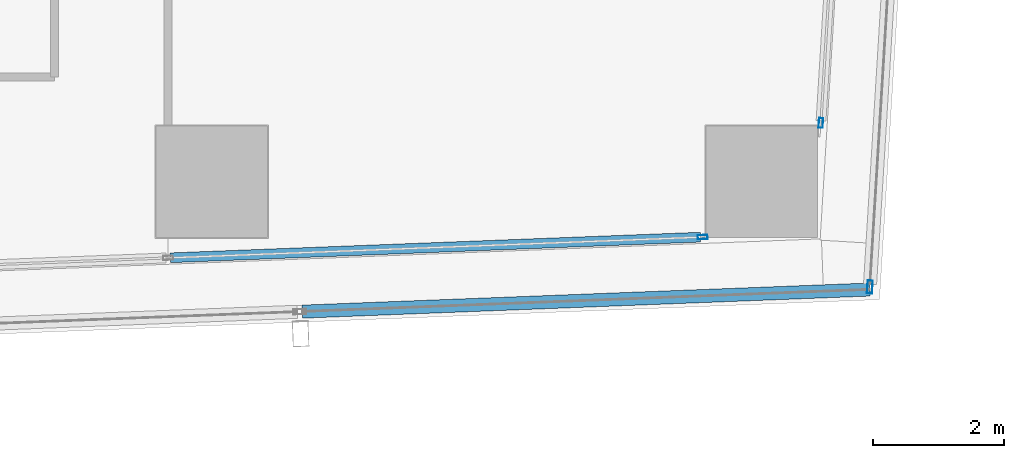
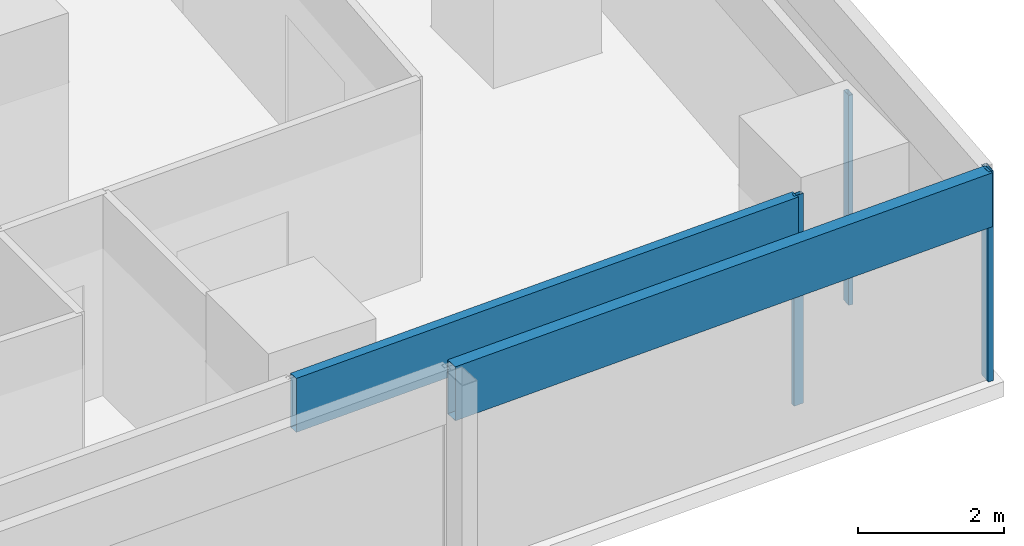
# One storey, part 12 of 40: 5 members, 4 elements without a shape of their own.
"""IFC4 building model written with IfcOpenShell, lengths in metres."""

from ifc_helpers import new_model, si_unit, direction, frame, origin, origin_2d, place, context, subcontext, project, spatial, hollow_rectangle, extrude, material, material_profile, profile_set, type_object, element, aggregate, save


model = new_model("IFC4")

# Units and contexts
model_context = context("Model", 3, precision=1e-05, world=origin(), true_north=direction((0.0, 1.0)))
body_context = subcontext(model_context, "Body", "Model", "MODEL_VIEW")
ifc_project = project(units=[si_unit("LENGTHUNIT", "METRE"), si_unit("AREAUNIT", "SQUARE_METRE"), si_unit("VOLUMEUNIT", "CUBIC_METRE"), si_unit("PLANEANGLEUNIT", "RADIAN"), si_unit("MASSUNIT", "GRAM", prefix="KILO")], contexts=[model_context])

# Site, building, storey
site_placement = place(None, origin())
site = spatial("IfcSite", under=ifc_project, at=site_placement, CompositionType="ELEMENT")
building_placement = place(site_placement, origin())
building = spatial("IfcBuilding", under=site, at=building_placement, Name="Rekha Terrace Tower", CompositionType="ELEMENT")
storey_placement = place(building_placement, frame((0.0, 0.0, 132.800048828125)))
storey = spatial("IfcBuildingStorey", under=building, at=storey_placement, Name="L33", CompositionType="ELEMENT", Elevation=132.800048828125)

# Curtain wall, member
ifc_material_1 = material(Name="Aluminium framing", Category="aluminium")
curtain_wall_type_1 = type_object("IfcCurtainWallType", Name="CW1 double skin inner glazing", PredefinedType="USERDEFINED", material=ifc_material_1)
curtain_wall_1_placement = place(storey_placement, origin())
curtain_wall_1 = element("IfcCurtainWall", 1, at=curtain_wall_1_placement, inside=storey, type_object=curtain_wall_type_1, Name="CW1 double skin inner glazing", ObjectType="DOUBLE SKIN INNER GLAZING", PredefinedType="USERDEFINED")
ifc_material_2 = material(Name="Aluminium mullion section", Category="aluminium")
ifc_material_profile_1 = material_profile(ifc_material_2, hollow_rectangle(XDim=0.06494140625, YDim=0.14990234375, WallThickness=0.00390625, at=origin_2d()), Name="AL RHS 65x150")
ifc_profile_set_1 = profile_set([ifc_material_profile_1], Name="Aluminium mullion section")
member_type_1 = type_object("IfcMemberType", Name="CW1 mullion RHS 65 x 150", PredefinedType="MULLION", material=ifc_profile_set_1)
member_1_placement = place(storey_placement, frame((66.29736328125, 15.95556640625, 0.0), z_axis=(0.0, 0.0, 1.0), x_axis=(-0.038889971345, 0.999243498917, 0.0)))
member_1 = element("IfcMember", 2, at=member_1_placement, type_object=member_type_1, Name="CW1 mullion 6", PredefinedType="MULLION", context=body_context, shape_type="SweptSolid", body=[
    extrude(hollow_rectangle(XDim=0.06494140625, YDim=0.14990234375, WallThickness=0.00390625, at=origin_2d()), origin(), (0.0, 0.0, 1.0), 3.5),
])

curtain_wall_2_placement = place(storey_placement, origin())
curtain_wall_2 = element("IfcCurtainWall", 3, at=curtain_wall_2_placement, inside=storey, type_object=curtain_wall_type_1, Name="CW1 double skin inner glazing", ObjectType="DOUBLE SKIN INNER GLAZING", PredefinedType="USERDEFINED")
member_2_placement = place(storey_placement, frame((68.103515625, 17.69921875, 0.0), z_axis=(0.0, 0.0, 1.0), x_axis=(-0.998127987024, 0.061159803131, 0.0)))
member_2 = element("IfcMember", 4, at=member_2_placement, type_object=member_type_1, Name="CW1 mullion 1", PredefinedType="MULLION", context=body_context, shape_type="SweptSolid", body=[
    extrude(hollow_rectangle(XDim=0.06494140625, YDim=0.14990234375, WallThickness=0.00390625, at=origin_2d()), origin(), (0.0, 0.0, 1.0), 3.5),
])
aggregate(curtain_wall_2, [member_2])

# Member
ifc_material_3 = material(Name="Insulated aluminium spandrel box", Category="aluminium")
ifc_material_profile_2 = material_profile(ifc_material_3, hollow_rectangle(XDim=0.14990234375, YDim=0.89990234375, WallThickness=0.0029296875, at=origin_2d()), Name="AL SPANDREL BOX 150x900")
ifc_profile_set_2 = profile_set([ifc_material_profile_2], Name="Insulated aluminium spandrel box")
member_type_2 = type_object("IfcMemberType", Name="CW1 spandrel transom 150 x 900", PredefinedType="USERDEFINED", material=ifc_profile_set_2)
member_3_placement = place(storey_placement, frame((58.165771484375, 15.63916015625, 3.050048828125), z_axis=(0.999243585207, 0.038887754153, 0.0), x_axis=(-0.038887754153, 0.999243585207, 0.0)))
member_3 = element("IfcMember", 5, at=member_3_placement, type_object=member_type_2, Name="CW1 spandrel transom 5", ObjectType="TRANSOM", PredefinedType="USERDEFINED", context=body_context, shape_type="SweptSolid", body=[
    extrude(hollow_rectangle(XDim=0.14990234375, YDim=0.89990234375, WallThickness=0.0029296875, at=origin_2d()), origin(), (0.0, 0.0, 1.0), 8.10498046875),
])

aggregate(curtain_wall_1, [member_1, member_3])

# Curtain wall, member
curtain_wall_type_2 = type_object("IfcCurtainWallType", Name="CW2 double skin outer glazing", PredefinedType="USERDEFINED", material=ifc_material_1)
curtain_wall_3_placement = place(storey_placement, origin())
curtain_wall_3 = element("IfcCurtainWall", 6, at=curtain_wall_3_placement, inside=storey, type_object=curtain_wall_type_2, Name="CW2 double skin outer glazing", ObjectType="DOUBLE SKIN OUTER GLAZING", PredefinedType="USERDEFINED")
ifc_material_profile_3 = material_profile(ifc_material_2, hollow_rectangle(XDim=0.080078125, YDim=0.199951171875, WallThickness=0.00390625, at=origin_2d()), Name="AL RHS 80x200")
ifc_profile_set_3 = profile_set([ifc_material_profile_3], Name="Aluminium mullion section")
member_type_3 = type_object("IfcMemberType", Name="CW2 mullion RHS 80 x 200", PredefinedType="MULLION", material=ifc_profile_set_3)
member_4_placement = place(storey_placement, frame((68.8515625, 15.194091796875, 0.0), z_axis=(0.0, 0.0, 1.0), x_axis=(-0.998127987024, 0.061159803131, 0.0)))
member_4 = element("IfcMember", 7, at=member_4_placement, type_object=member_type_3, Name="CW2 mullion 1", PredefinedType="MULLION", context=body_context, shape_type="SweptSolid", body=[
    extrude(hollow_rectangle(XDim=0.080078125, YDim=0.199951171875, WallThickness=0.00390625, at=origin_2d()), origin(), (0.0, 0.0, 1.0), 3.5),
])
aggregate(curtain_wall_3, [member_4])

curtain_wall_4_placement = place(storey_placement, origin())
curtain_wall_4 = element("IfcCurtainWall", 8, at=curtain_wall_4_placement, inside=storey, type_object=curtain_wall_type_2, Name="CW2 double skin outer glazing", ObjectType="DOUBLE SKIN OUTER GLAZING", PredefinedType="USERDEFINED")
ifc_material_profile_4 = material_profile(ifc_material_3, hollow_rectangle(XDim=0.199951171875, YDim=0.89990234375, WallThickness=0.0029296875, at=origin_2d()), Name="AL SPANDREL BOX 200x900")
ifc_profile_set_4 = profile_set([ifc_material_profile_4], Name="Insulated aluminium spandrel box")
member_type_4 = type_object("IfcMemberType", Name="CW2 spandrel transom 200 x 900", PredefinedType="USERDEFINED", material=ifc_profile_set_4)
member_5_placement = place(storey_placement, frame((60.18408203125, 14.81689453125, 3.050048828125), z_axis=(0.99924276334, 0.038908866757, 0.0), x_axis=(-0.038908866757, 0.99924276334, 0.0)))
member_5 = element("IfcMember", 9, at=member_5_placement, type_object=member_type_4, Name="CW2 spandrel transom 5", ObjectType="TRANSOM", PredefinedType="USERDEFINED", context=body_context, shape_type="SweptSolid", body=[
    extrude(hollow_rectangle(XDim=0.199951171875, YDim=0.89990234375, WallThickness=0.0029296875, at=origin_2d()), origin(), (0.0, 0.0, 1.0), 8.671630859375),
])
aggregate(curtain_wall_4, [member_5])

save(model, "model.ifc")
